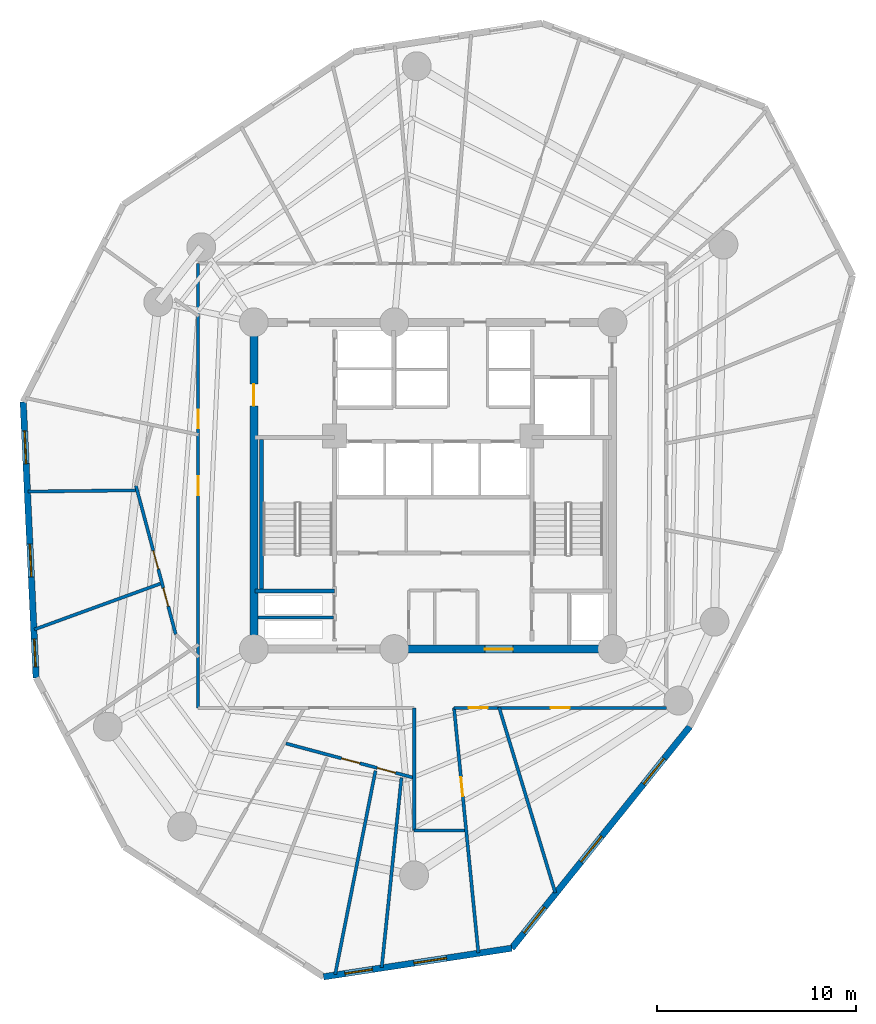
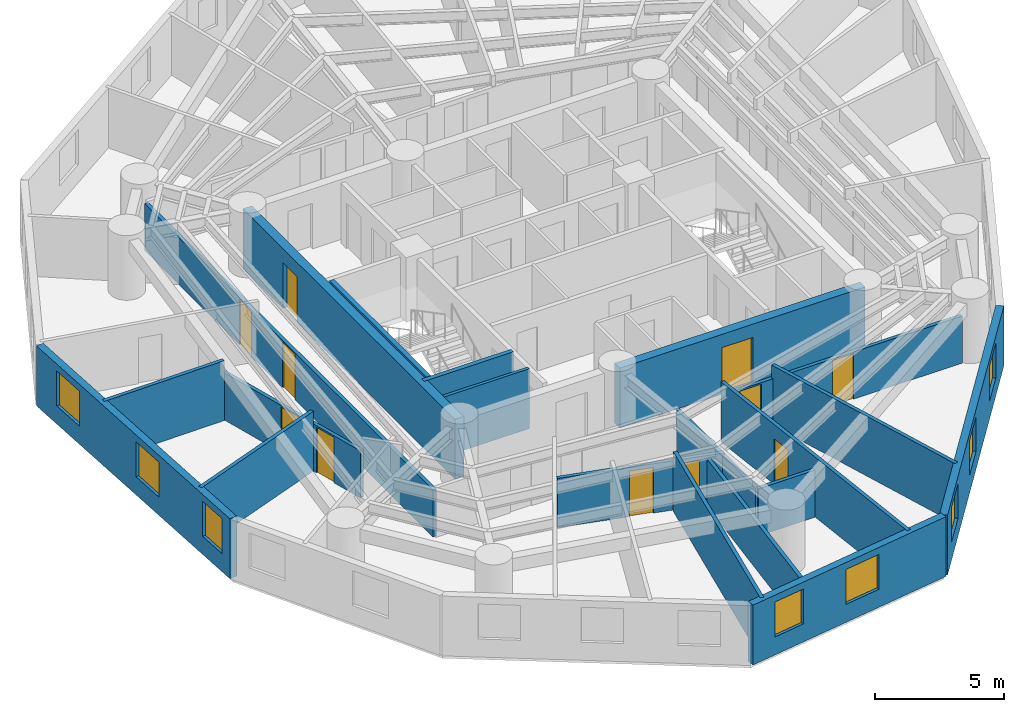
# One storey, part 3 of 8: 20 walls, 11 doors, 8 windows, 19 openings.
"""IFC4 building model written with IfcOpenShell, lengths in metres."""

from ifc_helpers import new_model, si_unit, direction, frame, frame_2d, origin, origin_with_axes, place, context, subcontext, project, spatial, rectangle, extrude, source, transform, mapped, material, layer, layer_set, type_object, element, fill, save


model = new_model("IFC4")

# Units and contexts
model_context = context("Model", 3, precision=1e-05, world=origin(), true_north=direction((0.0, 1.0)))
body_context = subcontext(model_context, "Body", "Model", "MODEL_VIEW")
ifc_project = project(units=[si_unit("LENGTHUNIT", "METRE"), si_unit("AREAUNIT", "SQUARE_METRE"), si_unit("VOLUMEUNIT", "CUBIC_METRE"), si_unit("PLANEANGLEUNIT", "RADIAN"), si_unit("MASSUNIT", "GRAM", prefix="KILO")], contexts=[model_context])

# Site, building, storey
site_placement = place(None, origin())
site = spatial("IfcSite", under=ifc_project, at=site_placement, CompositionType="ELEMENT")
building_placement = place(site_placement, origin())
building = spatial("IfcBuilding", under=site, at=building_placement, Name="Karkom Vertical University and Central Library", CompositionType="ELEMENT")
storey_placement = place(building_placement, frame((0.0, 0.0, 120.60009765625)))
storey = spatial("IfcBuildingStorey", under=building, at=storey_placement, Name="L33", CompositionType="ELEMENT", Elevation=120.60009765625)

# Wall, openings, windows
ifc_material_1 = material(Name="Brick-faced precast concrete C45/55", Category="masonry")
ifc_layer_1 = layer(ifc_material_1, 0.320068359375)
ifc_layer_set_1 = layer_set([ifc_layer_1], Name="Brick-faced precast concrete C45/55")
wall_type_1 = type_object("IfcWallType", Name="ENV-WL-BRK-320", PredefinedType="SOLIDWALL", material=ifc_layer_set_1)
wall_1_placement = place(storey_placement, frame((7.92626953125, 30.701416015625, 0.0), z_axis=(0.0, 0.0, 1.0), x_axis=(0.046823586299, -0.99890317437, 0.0)))
wall_1 = element("IfcWall", 1, at=wall_1_placement, inside=storey, type_object=wall_type_1, Name="Level 33 Brick-Faced Precast Facade Wall 02", PredefinedType="SOLIDWALL", context=body_context, shape_type="SweptSolid", body=[
    extrude(rectangle(XDim=13.85888671875, YDim=0.320068359375, at=frame_2d((6.929443359375, 0.0))), origin(), (0.0, 0.0, 1.0), 2.824951171875),
])
opening_1_placement = place(wall_1_placement, frame((1.457763671875, 0.0, 0.85009765625)))
opening_1 = element("IfcOpeningElement", 2, at=opening_1_placement, cuts=wall_1, Name="Opening WN-06", PredefinedType="OPENING", context=body_context, shape_type="SweptSolid", body=[
    extrude(rectangle(XDim=1.64990234375, YDim=1.64990234375, at=frame_2d((0.824951171875, 0.824951171875))), frame((0.0, 0.169921875, 0.0), z_axis=(0.0, -1.0, 0.0), x_axis=(1.0, 0.0, 0.0)), (0.0, 0.0, 1.0), 0.340087890625),
])
opening_2_placement = place(wall_1_placement, frame((7.138916015625, 0.0, 0.85009765625)))
opening_2 = element("IfcOpeningElement", 3, at=opening_2_placement, cuts=wall_1, Name="Opening WN-06", PredefinedType="OPENING", context=body_context, shape_type="SweptSolid", body=[
    extrude(rectangle(XDim=1.64990234375, YDim=1.64990234375, at=frame_2d((0.824951171875, 0.824951171875))), frame((0.0, 0.169921875, 0.0), z_axis=(0.0, -1.0, 0.0), x_axis=(1.0, 0.0, 0.0)), (0.0, 0.0, 1.0), 0.340087890625),
])
opening_3_placement = place(wall_1_placement, frame((11.91064453125, 0.0, 0.85009765625)))
opening_3 = element("IfcOpeningElement", 4, at=opening_3_placement, cuts=wall_1, Name="Opening WN-07", PredefinedType="OPENING", context=body_context, shape_type="SweptSolid", body=[
    extrude(rectangle(XDim=1.39990234375, YDim=1.64990234375, at=frame_2d((0.699951171875, 0.824951171875))), frame((0.0, 0.169921875, 0.0), z_axis=(0.0, -1.0, 0.0), x_axis=(1.0, 0.0, 0.0)), (0.0, 0.0, 1.0), 0.340087890625),
])
ifc_material_2 = material(Name="Aluminium thermal-break frame with solar-control IGU", Category="aluminium")
window_type_1 = type_object("IfcWindowType", Name="ENV-WIN-WN-06", PartitioningType="SINGLE_PANEL", PredefinedType="WINDOW", material=ifc_material_2)
shared_shape_1 = source(origin_with_axes(), body_context, "Body", "SweptSolid", [
    extrude(rectangle(XDim=1.64990234375, YDim=1.64990234375, at=frame_2d((0.824951171875, 0.824951171875))), frame((0.0, 0.030029296875, 0.0), z_axis=(0.0, -1.0, 0.0), x_axis=(1.0, 0.0, 0.0)), (0.0, 0.0, 1.0), 0.06005859375),
])
window_1_placement = place(opening_1_placement, origin())
window_1 = element("IfcWindow", 5, at=window_1_placement, inside=storey, type_object=window_type_1, Name="Level 33 Punched Window 2.1", OverallHeight=1.64990234375, OverallWidth=1.64990234375, PartitioningType="SINGLE_PANEL", PredefinedType="WINDOW", context=body_context, shape_type="MappedRepresentation", body=[
    mapped(shared_shape_1, transform((0.0, 0.0, 0.0), scale=1.0)),
])
fill(opening_1, window_1)
window_2_placement = place(opening_2_placement, origin())
window_2 = element("IfcWindow", 6, at=window_2_placement, inside=storey, type_object=window_type_1, Name="Level 33 Punched Window 2.2", OverallHeight=1.64990234375, OverallWidth=1.64990234375, PartitioningType="SINGLE_PANEL", PredefinedType="WINDOW", context=body_context, shape_type="MappedRepresentation", body=[
    mapped(shared_shape_1, transform((0.0, 0.0, 0.0), scale=1.0)),
])
fill(opening_2, window_2)
window_type_2 = type_object("IfcWindowType", Name="ENV-WIN-WN-07", PartitioningType="SINGLE_PANEL", PredefinedType="WINDOW", material=ifc_material_2)
shared_shape_2 = source(origin_with_axes(), body_context, "Body", "SweptSolid", [
    extrude(rectangle(XDim=1.39990234375, YDim=1.64990234375, at=frame_2d((0.699951171875, 0.824951171875))), frame((0.0, 0.030029296875, 0.0), z_axis=(0.0, -1.0, 0.0), x_axis=(1.0, 0.0, 0.0)), (0.0, 0.0, 1.0), 0.06005859375),
])
window_3_placement = place(opening_3_placement, origin())
window_3 = element("IfcWindow", 7, at=window_3_placement, inside=storey, type_object=window_type_2, Name="Level 33 Punched Window 2.3", OverallHeight=1.64990234375, OverallWidth=1.39990234375, PartitioningType="SINGLE_PANEL", PredefinedType="WINDOW", context=body_context, shape_type="MappedRepresentation", body=[
    mapped(shared_shape_2, transform((0.0, 0.0, 0.0), scale=1.0)),
])
fill(opening_3, window_3)

wall_2_placement = place(storey_placement, frame((22.998046875, 1.85009765625, 0.0), z_axis=(0.0, 0.0, 1.0), x_axis=(0.988605038092, 0.150532649811, 0.0)))
wall_2 = element("IfcWall", 8, at=wall_2_placement, inside=storey, type_object=wall_type_1, Name="Level 33 Brick-Faced Precast Facade Wall 05", PredefinedType="SOLIDWALL", context=body_context, shape_type="SweptSolid", body=[
    extrude(rectangle(XDim=9.555908203125, YDim=0.320068359375, at=frame_2d((4.77783203125, 0.0))), origin(), (0.0, 0.0, 1.0), 2.824951171875),
])
opening_4_placement = place(wall_2_placement, frame((1.087890625, 0.0, 0.85009765625)))
opening_4 = element("IfcOpeningElement", 9, at=opening_4_placement, cuts=wall_2, Name="Opening WN-07", PredefinedType="OPENING", context=body_context, shape_type="SweptSolid", body=[
    extrude(rectangle(XDim=1.39990234375, YDim=1.64990234375, at=frame_2d((0.699951171875, 0.824951171875))), frame((0.0, 0.169921875, 0.0), z_axis=(0.0, -1.0, 0.0), x_axis=(1.0, 0.0, 0.0)), (0.0, 0.0, 1.0), 0.340087890625),
])
opening_5_placement = place(wall_2_placement, frame((4.592529296875, 0.0, 0.85009765625)))
opening_5 = element("IfcOpeningElement", 10, at=opening_5_placement, cuts=wall_2, Name="Opening WN-06", PredefinedType="OPENING", context=body_context, shape_type="SweptSolid", body=[
    extrude(rectangle(XDim=1.64990234375, YDim=1.64990234375, at=frame_2d((0.824951171875, 0.824951171875))), frame((0.0, 0.169921875, 0.0), z_axis=(0.0, -1.0, 0.0), x_axis=(1.0, 0.0, 0.0)), (0.0, 0.0, 1.0), 0.340087890625),
])
window_4_placement = place(opening_5_placement, origin())
window_4 = element("IfcWindow", 11, at=window_4_placement, inside=storey, type_object=window_type_1, Name="Level 33 Punched Window 5.2", OverallHeight=1.64990234375, OverallWidth=1.64990234375, PartitioningType="SINGLE_PANEL", PredefinedType="WINDOW", context=body_context, shape_type="MappedRepresentation", body=[
    mapped(shared_shape_1, transform((0.0, 0.0, 0.0), scale=1.0)),
])
fill(opening_5, window_4)
window_5_placement = place(opening_4_placement, origin())
window_5 = element("IfcWindow", 12, at=window_5_placement, inside=storey, type_object=window_type_2, Name="Level 33 Punched Window 5.1", OverallHeight=1.64990234375, OverallWidth=1.39990234375, PartitioningType="SINGLE_PANEL", PredefinedType="WINDOW", context=body_context, shape_type="MappedRepresentation", body=[
    mapped(shared_shape_2, transform((0.0, 0.0, 0.0), scale=1.0)),
])
fill(opening_4, window_5)

wall_3_placement = place(storey_placement, frame((32.445068359375, 3.28857421875, 0.0), z_axis=(0.0, 0.0, 1.0), x_axis=(0.626375512093, 0.779521467216, 0.0)))
wall_3 = element("IfcWall", 13, at=wall_3_placement, inside=storey, type_object=wall_type_1, Name="Level 33 Brick-Faced Precast Facade Wall 06", PredefinedType="SOLIDWALL", context=body_context, shape_type="SweptSolid", body=[
    extrude(rectangle(XDim=14.267822265625, YDim=0.320068359375, at=frame_2d((7.1337890625, 0.0))), origin(), (0.0, 0.0, 1.0), 2.824951171875),
])
opening_6_placement = place(wall_3_placement, frame((0.982666015625, 0.0, 0.85009765625)))
opening_6 = element("IfcOpeningElement", 14, at=opening_6_placement, cuts=wall_3, Name="Opening WN-06", PredefinedType="OPENING", context=body_context, shape_type="SweptSolid", body=[
    extrude(rectangle(XDim=1.64990234375, YDim=1.64990234375, at=frame_2d((0.824951171875, 0.824951171875))), frame((0.0, 0.169921875, 0.0), z_axis=(0.0, -1.0, 0.0), x_axis=(1.0, 0.0, 0.0)), (0.0, 0.0, 1.0), 0.340087890625),
])
opening_7_placement = place(wall_3_placement, frame((5.553466796875, 0.0, 0.85009765625)))
opening_7 = element("IfcOpeningElement", 15, at=opening_7_placement, cuts=wall_3, Name="Opening WN-06", PredefinedType="OPENING", context=body_context, shape_type="SweptSolid", body=[
    extrude(rectangle(XDim=1.64990234375, YDim=1.64990234375, at=frame_2d((0.824951171875, 0.824951171875))), frame((0.0, 0.169921875, 0.0), z_axis=(0.0, -1.0, 0.0), x_axis=(1.0, 0.0, 0.0)), (0.0, 0.0, 1.0), 0.340087890625),
])
opening_8_placement = place(wall_3_placement, frame((10.559814453125, 0.0, 0.85009765625)))
opening_8 = element("IfcOpeningElement", 16, at=opening_8_placement, cuts=wall_3, Name="Opening WN-06", PredefinedType="OPENING", context=body_context, shape_type="SweptSolid", body=[
    extrude(rectangle(XDim=1.64990234375, YDim=1.64990234375, at=frame_2d((0.824951171875, 0.824951171875))), frame((0.0, 0.169921875, 0.0), z_axis=(0.0, -1.0, 0.0), x_axis=(1.0, 0.0, 0.0)), (0.0, 0.0, 1.0), 0.340087890625),
])
window_6_placement = place(opening_6_placement, origin())
window_6 = element("IfcWindow", 17, at=window_6_placement, inside=storey, type_object=window_type_1, Name="Level 33 Punched Window 6.1", OverallHeight=1.64990234375, OverallWidth=1.64990234375, PartitioningType="SINGLE_PANEL", PredefinedType="WINDOW", context=body_context, shape_type="MappedRepresentation", body=[
    mapped(shared_shape_1, transform((0.0, 0.0, 0.0), scale=1.0)),
])
fill(opening_6, window_6)
window_7_placement = place(opening_7_placement, origin())
window_7 = element("IfcWindow", 18, at=window_7_placement, inside=storey, type_object=window_type_1, Name="Level 33 Punched Window 6.2", OverallHeight=1.64990234375, OverallWidth=1.64990234375, PartitioningType="SINGLE_PANEL", PredefinedType="WINDOW", context=body_context, shape_type="MappedRepresentation", body=[
    mapped(shared_shape_1, transform((0.0, 0.0, 0.0), scale=1.0)),
])
fill(opening_7, window_7)
window_8_placement = place(opening_8_placement, origin())
window_8 = element("IfcWindow", 19, at=window_8_placement, inside=storey, type_object=window_type_1, Name="Level 33 Punched Window 6.3", OverallHeight=1.64990234375, OverallWidth=1.64990234375, PartitioningType="SINGLE_PANEL", PredefinedType="WINDOW", context=body_context, shape_type="MappedRepresentation", body=[
    mapped(shared_shape_1, transform((0.0, 0.0, 0.0), scale=1.0)),
])
fill(opening_8, window_8)

# Wall, openings, doors
ifc_material_3 = material(Name="Insulated metal-stud drywall 160mm", Category="gypsum")
ifc_layer_2 = layer(ifc_material_3, 0.159912109375)
ifc_layer_set_2 = layer_set([ifc_layer_2], Name="Insulated metal-stud drywall 160mm")
wall_type_2 = type_object("IfcWallType", Name="INT-WL-COR-160", PredefinedType="PARTITIONING", material=ifc_layer_set_2)
wall_4_placement = place(storey_placement, frame((16.699951171875, 15.35009765625, 0.0), z_axis=(0.0, 0.0, 1.0), x_axis=(0.0, 1.0, 0.0)))
wall_4 = element("IfcWall", 20, at=wall_4_placement, inside=storey, type_object=wall_type_2, Name="Level 33 Interior Partition Wall L33-CORW-CW-002", PredefinedType="PARTITIONING", context=body_context, shape_type="SweptSolid", body=[
    extrude(rectangle(XDim=22.2998046875, YDim=0.159912109375, at=frame_2d((11.14990234375, 0.0))), origin(), (0.0, 0.0, 1.0), 2.224853515625),
])
opening_9_placement = place(wall_4_placement, frame((10.675048828125, 0.0, 0.0)))
opening_9 = element("IfcOpeningElement", 21, at=opening_9_placement, cuts=wall_4, Name="Opening D-RM1", PredefinedType="OPENING", context=body_context, shape_type="SweptSolid", body=[
    extrude(rectangle(XDim=0.949951171875, YDim=2.14990234375, at=frame_2d((0.47509765625, 1.074951171875))), frame((0.0, 0.08984375, 0.0), z_axis=(0.0, -1.0, 0.0), x_axis=(1.0, 0.0, 0.0)), (0.0, 0.0, 1.0), 0.179931640625),
])
opening_10_placement = place(wall_4_placement, frame((14.02001953125, 0.0, 0.0)))
opening_10 = element("IfcOpeningElement", 22, at=opening_10_placement, cuts=wall_4, Name="Opening D-RM1", PredefinedType="OPENING", context=body_context, shape_type="SweptSolid", body=[
    extrude(rectangle(XDim=0.949951171875, YDim=2.14990234375, at=frame_2d((0.47509765625, 1.074951171875))), frame((0.0, 0.08984375, 0.0), z_axis=(0.0, -1.0, 0.0), x_axis=(1.0, 0.0, 0.0)), (0.0, 0.0, 1.0), 0.179931640625),
])
ifc_material_4 = material(Name="Solid-core oak veneer door", Category="wood")
door_type_1 = type_object("IfcDoorType", Name="INT-DR-RM1", OperationType="NOTDEFINED", PredefinedType="DOOR", material=ifc_material_4)
shared_shape_3 = source(origin_with_axes(), body_context, "Body", "SweptSolid", [
    extrude(rectangle(XDim=0.949951171875, YDim=2.14990234375, at=frame_2d((0.47509765625, 1.074951171875))), frame((0.0, 0.02490234375, 0.0), z_axis=(0.0, -1.0, 0.0), x_axis=(1.0, 0.0, 0.0)), (0.0, 0.0, 1.0), 0.050048828125),
])
door_1_placement = place(opening_9_placement, origin())
door_1 = element("IfcDoor", 23, at=door_1_placement, inside=storey, type_object=door_type_1, Name="Level 33 Room Entry Door 000", OperationType="SINGLE_SWING_LEFT", OverallHeight=2.14990234375, OverallWidth=0.949951171875, PredefinedType="DOOR", context=body_context, shape_type="MappedRepresentation", body=[
    mapped(shared_shape_3, transform((0.0, 0.0, 0.0), scale=1.0)),
])
fill(opening_9, door_1)
door_2_placement = place(opening_10_placement, origin())
door_2 = element("IfcDoor", 24, at=door_2_placement, inside=storey, type_object=door_type_1, Name="Level 33 Room Entry Door 250", OperationType="SINGLE_SWING_LEFT", OverallHeight=2.14990234375, OverallWidth=0.949951171875, PredefinedType="DOOR", context=body_context, shape_type="MappedRepresentation", body=[
    mapped(shared_shape_3, transform((0.0, 0.0, 0.0), scale=1.0)),
])
fill(opening_10, door_2)

# Wall, opening, door
wall_5_placement = place(storey_placement, frame((29.547119140625, 15.35888671875, 0.0), z_axis=(0.0, 0.0, 1.0), x_axis=(0.098895512209, -0.995097823164, 0.0)))
wall_5 = element("IfcWall", 25, at=wall_5_placement, inside=storey, type_object=wall_type_2, Name="Level 33 Interior Partition Wall L33-PW-016", PredefinedType="PARTITIONING", context=body_context, shape_type="SweptSolid", body=[
    extrude(rectangle(XDim=12.360595703125, YDim=0.159912109375, at=frame_2d((6.18017578125, 0.0))), origin(), (0.0, 0.0, 1.0), 2.824951171875),
])
opening_11_placement = place(wall_5_placement, frame((3.511962890625, 0.0, 0.0)))
opening_11 = element("IfcOpeningElement", 26, at=opening_11_placement, cuts=wall_5, Name="Opening D-RM1", PredefinedType="OPENING", context=body_context, shape_type="SweptSolid", body=[
    extrude(rectangle(XDim=0.949951171875, YDim=2.14990234375, at=frame_2d((0.47509765625, 1.074951171875))), frame((0.0, 0.08984375, 0.0), z_axis=(0.0, -1.0, 0.0), x_axis=(1.0, 0.0, 0.0)), (0.0, 0.0, 1.0), 0.179931640625),
])
door_3_placement = place(opening_11_placement, origin())
door_3 = element("IfcDoor", 27, at=door_3_placement, inside=storey, type_object=door_type_1, Name="Level 33 Room Entry Door 080", OperationType="SINGLE_SWING_RIGHT", OverallHeight=2.14990234375, OverallWidth=0.949951171875, PredefinedType="DOOR", context=body_context, shape_type="MappedRepresentation", body=[
    mapped(shared_shape_3, transform((0.0, 0.0, 0.0), scale=1.0)),
])
fill(opening_11, door_3)

# Wall, openings, doors
wall_6_placement = place(storey_placement, frame((40.199951171875, 15.35009765625, 0.0), z_axis=(0.0, 0.0, 1.0), x_axis=(-1.0, 0.0, 0.0)))
wall_6 = element("IfcWall", 28, at=wall_6_placement, inside=storey, type_object=wall_type_2, Name="Level 33 Interior Partition Wall L33-CORW-CW-005", PredefinedType="PARTITIONING", context=body_context, shape_type="SweptSolid", body=[
    extrude(rectangle(XDim=10.64990234375, YDim=0.159912109375, at=frame_2d((5.324951171875, 0.0))), origin(), (0.0, 0.0, 1.0), 2.224853515625),
])
opening_12_placement = place(wall_6_placement, frame((8.966064453125, 0.0, 0.0)))
opening_12 = element("IfcOpeningElement", 29, at=opening_12_placement, cuts=wall_6, Name="Opening D-RM1", PredefinedType="OPENING", context=body_context, shape_type="SweptSolid", body=[
    extrude(rectangle(XDim=0.949951171875, YDim=2.14990234375, at=frame_2d((0.47509765625, 1.074951171875))), frame((0.0, 0.08984375, 0.0), z_axis=(0.0, -1.0, 0.0), x_axis=(1.0, 0.0, 0.0)), (0.0, 0.0, 1.0), 0.179931640625),
])
opening_13_placement = place(wall_6_placement, frame((4.85009765625, 0.0, 0.0)))
opening_13 = element("IfcOpeningElement", 30, at=opening_13_placement, cuts=wall_6, Name="Opening D-RM1", PredefinedType="OPENING", context=body_context, shape_type="SweptSolid", body=[
    extrude(rectangle(XDim=0.949951171875, YDim=2.14990234375, at=frame_2d((0.47509765625, 1.074951171875))), frame((0.0, 0.08984375, 0.0), z_axis=(0.0, -1.0, 0.0), x_axis=(1.0, 0.0, 0.0)), (0.0, 0.0, 1.0), 0.179931640625),
])
door_4_placement = place(opening_12_placement, origin())
door_4 = element("IfcDoor", 31, at=door_4_placement, inside=storey, type_object=door_type_1, Name="Level 33 Room Entry Door 090", OperationType="SINGLE_SWING_LEFT", OverallHeight=2.14990234375, OverallWidth=0.949951171875, PredefinedType="DOOR", context=body_context, shape_type="MappedRepresentation", body=[
    mapped(shared_shape_3, transform((0.0, 0.0, 0.0), scale=1.0)),
])
fill(opening_12, door_4)
door_5_placement = place(opening_13_placement, origin())
door_5 = element("IfcDoor", 32, at=door_5_placement, inside=storey, type_object=door_type_1, Name="Level 33 Room Entry Door 100", OperationType="SINGLE_SWING_RIGHT", OverallHeight=2.14990234375, OverallWidth=0.949951171875, PredefinedType="DOOR", context=body_context, shape_type="MappedRepresentation", body=[
    mapped(shared_shape_3, transform((0.0, 0.0, 0.0), scale=1.0)),
])
fill(opening_13, door_5)

# Walls
wall_7_placement = place(storey_placement, frame((25.6064453125, 12.192626953125, 0.0), z_axis=(0.0, 0.0, 1.0), x_axis=(-0.194205831311, -0.980960802012, 0.0)))
element("IfcWall", 33, at=wall_7_placement, inside=storey, type_object=wall_type_2, Name="Level 33 Interior Partition Wall L33-PW-014", PredefinedType="PARTITIONING", context=body_context, shape_type="SweptSolid", body=[
    extrude(rectangle(XDim=10.4228515625, YDim=0.159912109375, at=frame_2d((5.21142578125, 0.0))), origin(), (0.0, 0.0, 1.0), 2.824951171875),
])
wall_8_placement = place(storey_placement, frame((31.80859375, 15.378662109375, 0.0), z_axis=(0.0, 0.0, 1.0), x_axis=(0.290116034839, -0.956991476623, 0.0)))
element("IfcWall", 34, at=wall_8_placement, inside=storey, type_object=wall_type_2, Name="Level 33 Interior Partition Wall L33-PW-017", PredefinedType="PARTITIONING", context=body_context, shape_type="SweptSolid", body=[
    extrude(rectangle(XDim=9.729736328125, YDim=0.159912109375, at=frame_2d((4.86474609375, 0.0))), origin(), (0.0, 0.0, 1.0), 2.824951171875),
])
wall_9_placement = place(storey_placement, frame((26.911865234375, 11.8427734375, 0.0), z_axis=(0.0, 0.0, 1.0), x_axis=(-0.103654444974, -0.994613370128, 0.0)))
element("IfcWall", 35, at=wall_9_placement, inside=storey, type_object=wall_type_2, Name="Level 33 Interior Partition Wall L33-PW-015", PredefinedType="PARTITIONING", context=body_context, shape_type="SweptSolid", body=[
    extrude(rectangle(XDim=9.572021484375, YDim=0.159912109375, at=frame_2d((4.7861328125, 0.0))), origin(), (0.0, 0.0, 1.0), 2.224853515625),
])

# Wall, openings, doors
wall_10_placement = place(storey_placement, frame((15.581298828125, 19.04150390625, 0.0), z_axis=(0.0, 0.0, 1.0), x_axis=(-0.258823534126, 0.965924623448, 0.0)))
wall_10 = element("IfcWall", 36, at=wall_10_placement, inside=storey, type_object=wall_type_2, Name="Level 33 Interior Partition Wall L33-PW-001", PredefinedType="PARTITIONING", context=body_context, shape_type="SweptSolid", body=[
    extrude(rectangle(XDim=7.7216796875, YDim=0.159912109375, at=frame_2d((3.86083984375, 0.0))), origin(), (0.0, 0.0, 1.0), 2.224853515625),
])
opening_14_placement = place(wall_10_placement, frame((3.3857421875, 0.0, 0.0)))
opening_14 = element("IfcOpeningElement", 37, at=opening_14_placement, cuts=wall_10, Name="Opening FD-RM2", PredefinedType="OPENING", context=body_context, shape_type="SweptSolid", body=[
    extrude(rectangle(XDim=0.9599609375, YDim=2.14990234375, at=frame_2d((0.47998046875, 1.074951171875))), frame((0.0, 0.08984375, 0.0), z_axis=(0.0, -1.0, 0.0), x_axis=(1.0, 0.0, 0.0)), (0.0, 0.0, 1.0), 0.179931640625),
])
opening_15_placement = place(wall_10_placement, frame((1.455322265625, 0.0, 0.0)))
opening_15 = element("IfcOpeningElement", 38, at=opening_15_placement, cuts=wall_10, Name="Opening D-RM1", PredefinedType="OPENING", context=body_context, shape_type="SweptSolid", body=[
    extrude(rectangle(XDim=0.949951171875, YDim=2.14990234375, at=frame_2d((0.47509765625, 1.074951171875))), frame((0.0, 0.08984375, 0.0), z_axis=(0.0, -1.0, 0.0), x_axis=(1.0, 0.0, 0.0)), (0.0, 0.0, 1.0), 0.179931640625),
])
ifc_material_5 = material(Name="Fire-rated oak veneer door", Category="wood")
door_type_2 = type_object("IfcDoorType", Name="INT-DR-FRM2", OperationType="NOTDEFINED", PredefinedType="DOOR", material=ifc_material_5)
shared_shape_4 = source(origin_with_axes(), body_context, "Body", "SweptSolid", [
    extrude(rectangle(XDim=0.9599609375, YDim=2.14990234375, at=frame_2d((0.47998046875, 1.074951171875))), frame((0.0, 0.02490234375, 0.0), z_axis=(0.0, -1.0, 0.0), x_axis=(1.0, 0.0, 0.0)), (0.0, 0.0, 1.0), 0.050048828125),
])
door_6_placement = place(opening_14_placement, origin())
door_6 = element("IfcDoor", 39, at=door_6_placement, inside=storey, type_object=door_type_2, Name="Level 33 Room Entry Door 010", OperationType="SINGLE_SWING_RIGHT", OverallHeight=2.14990234375, OverallWidth=0.9599609375, PredefinedType="DOOR", context=body_context, shape_type="MappedRepresentation", body=[
    mapped(shared_shape_4, transform((0.0, 0.0, 0.0), scale=1.0)),
])
fill(opening_14, door_6)
door_7_placement = place(opening_15_placement, origin())
door_7 = element("IfcDoor", 40, at=door_7_placement, inside=storey, type_object=door_type_1, Name="Level 33 Room Entry Door 020", OperationType="SINGLE_SWING_LEFT", OverallHeight=2.14990234375, OverallWidth=0.949951171875, PredefinedType="DOOR", context=body_context, shape_type="MappedRepresentation", body=[
    mapped(shared_shape_3, transform((0.0, 0.0, 0.0), scale=1.0)),
])
fill(opening_15, door_7)

wall_11_placement = place(storey_placement, frame((27.5791015625, 11.82958984375, 0.0), z_axis=(0.0, 0.0, 1.0), x_axis=(-0.965927858542, 0.258811460511, 0.0)))
wall_11 = element("IfcWall", 41, at=wall_11_placement, inside=storey, type_object=wall_type_2, Name="Level 33 Interior Partition Wall L33-PW-012", PredefinedType="PARTITIONING", context=body_context, shape_type="SweptSolid", body=[
    extrude(rectangle(XDim=6.69189453125, YDim=0.159912109375, at=frame_2d((3.345947265625, 0.0))), origin(), (0.0, 0.0, 1.0), 2.324951171875),
])
opening_16_placement = place(wall_11_placement, frame((2.853759765625, 0.0, 0.0)))
opening_16 = element("IfcOpeningElement", 42, at=opening_16_placement, cuts=wall_11, Name="Opening D-RM1", PredefinedType="OPENING", context=body_context, shape_type="SweptSolid", body=[
    extrude(rectangle(XDim=0.949951171875, YDim=2.14990234375, at=frame_2d((0.47509765625, 1.074951171875))), frame((0.0, 0.08984375, 0.0), z_axis=(0.0, -1.0, 0.0), x_axis=(1.0, 0.0, 0.0)), (0.0, 0.0, 1.0), 0.179931640625),
])
opening_17_placement = place(wall_11_placement, frame((0.99951171875, 0.0, 0.0)))
opening_17 = element("IfcOpeningElement", 43, at=opening_17_placement, cuts=wall_11, Name="Opening D-RM1", PredefinedType="OPENING", context=body_context, shape_type="SweptSolid", body=[
    extrude(rectangle(XDim=0.949951171875, YDim=2.14990234375, at=frame_2d((0.47509765625, 1.074951171875))), frame((0.0, 0.08984375, 0.0), z_axis=(0.0, -1.0, 0.0), x_axis=(1.0, 0.0, 0.0)), (0.0, 0.0, 1.0), 0.179931640625),
])
door_8_placement = place(opening_16_placement, origin())
door_8 = element("IfcDoor", 44, at=door_8_placement, inside=storey, type_object=door_type_1, Name="Level 33 Room Entry Door 060", OperationType="SINGLE_SWING_LEFT", OverallHeight=2.14990234375, OverallWidth=0.949951171875, PredefinedType="DOOR", context=body_context, shape_type="MappedRepresentation", body=[
    mapped(shared_shape_3, transform((0.0, 0.0, 0.0), scale=1.0)),
])
fill(opening_16, door_8)
door_9_placement = place(opening_17_placement, origin())
door_9 = element("IfcDoor", 45, at=door_9_placement, inside=storey, type_object=door_type_1, Name="Level 33 Room Entry Door 070", OperationType="SINGLE_SWING_RIGHT", OverallHeight=2.14990234375, OverallWidth=0.949951171875, PredefinedType="DOOR", context=body_context, shape_type="MappedRepresentation", body=[
    mapped(shared_shape_3, transform((0.0, 0.0, 0.0), scale=1.0)),
])
fill(opening_17, door_9)

# Walls
wall_12_placement = place(storey_placement, frame((14.810302734375, 21.582763671875, 0.0), z_axis=(0.0, 0.0, 1.0), x_axis=(-0.939714983288, -0.341958696607, 0.0)))
element("IfcWall", 46, at=wall_12_placement, inside=storey, type_object=wall_type_2, Name="Level 33 Interior Partition Wall L33-PW-005", PredefinedType="PARTITIONING", context=body_context, shape_type="SweptSolid", body=[
    extrude(rectangle(XDim=6.726806640625, YDim=0.159912109375, at=frame_2d((3.36328125, 0.0))), origin(), (0.0, 0.0, 1.0), 2.824951171875),
])
wall_13_placement = place(storey_placement, frame((27.550048828125, 9.199951171875, 0.0), z_axis=(0.0, 0.0, 1.0), x_axis=(0.0, 1.0, 0.0)))
element("IfcWall", 47, at=wall_13_placement, inside=storey, type_object=wall_type_2, Name="Level 33 Interior Partition Wall L33-CORW-CW-008", PredefinedType="PARTITIONING", context=body_context, shape_type="SweptSolid", body=[
    extrude(rectangle(XDim=6.150146484375, YDim=0.159912109375, at=frame_2d((3.0751953125, 0.0))), origin(), (0.0, 0.0, 1.0), 2.224853515625),
])
wall_14_placement = place(storey_placement, frame((8.162109375, 26.20361328125, 0.0), z_axis=(0.0, 0.0, 1.0), x_axis=(0.999932879141, 0.01158607844, 0.0)))
element("IfcWall", 48, at=wall_14_placement, inside=storey, type_object=wall_type_2, Name="Level 33 Interior Partition Wall L33-PW-006", PredefinedType="PARTITIONING", context=body_context, shape_type="SweptSolid", body=[
    extrude(rectangle(XDim=5.394287109375, YDim=0.159912109375, at=frame_2d((2.697265625, 0.0))), origin(), (0.0, 0.0, 1.0), 2.824951171875),
])
wall_15_placement = place(storey_placement, frame((30.07177734375, 9.199951171875, 0.0), z_axis=(0.0, 0.0, 1.0), x_axis=(-1.0, 0.0, 0.0)))
element("IfcWall", 49, at=wall_15_placement, inside=storey, type_object=wall_type_2, Name="Level 33 Interior Partition Wall L33-CORW-CW-007", PredefinedType="PARTITIONING", context=body_context, shape_type="SweptSolid", body=[
    extrude(rectangle(XDim=2.521728515625, YDim=0.159912109375, at=frame_2d((1.2607421875, 0.0))), origin(), (0.0, 0.0, 1.0), 2.224853515625),
])
ifc_material_6 = material(Name="Metal-stud gypsum partition 140mm", Category="gypsum")
ifc_layer_3 = layer(ifc_material_6, 0.139892578125)
ifc_layer_set_3 = layer_set([ifc_layer_3], Name="Metal-stud gypsum partition 140mm")
wall_type_3 = type_object("IfcWallType", Name="INT-WL-SUB-140H", PredefinedType="PARTITIONING", material=ifc_layer_set_3)
wall_16_placement = place(storey_placement, frame((19.70703125, 19.889892578125, 0.0), z_axis=(0.0, 0.0, 1.0), x_axis=(1.0, 0.0, 0.0)))
element("IfcWall", 50, at=wall_16_placement, inside=storey, type_object=wall_type_3, Name="Level 33 Interior Partition Wall L33-CW-RIS-W", PredefinedType="PARTITIONING", context=body_context, shape_type="SweptSolid", body=[
    extrude(rectangle(XDim=3.789794921875, YDim=0.139892578125, at=frame_2d((1.89501953125, 0.0))), origin(), (0.0, 0.0, 1.0), 2.824951171875),
])

# Wall, opening, door
ifc_material_7 = material(Name="Concrete C50/60", Category="concrete")
ifc_layer_4 = layer(ifc_material_7, 0.39990234375)
ifc_layer_set_4 = layer_set([ifc_layer_4], Name="Concrete C50/60")
wall_type_4 = type_object("IfcWallType", Name="STR-WL-CW-400", PredefinedType="SHEAR", material=ifc_layer_set_4)
wall_17_placement = place(storey_placement, frame((26.550048828125, 18.300048828125, 0.0), z_axis=(0.0, 0.0, 1.0), x_axis=(1.0, 0.0, 0.0)))
wall_17 = element("IfcWall", 51, at=wall_17_placement, inside=storey, type_object=wall_type_4, Name="Level 33 Central Core Shear Wall SW2", PredefinedType="SHEAR", context=body_context, shape_type="SweptSolid", body=[
    extrude(rectangle(XDim=10.949951171875, YDim=0.39990234375, at=frame_2d((5.47509765625, 0.0))), origin(), (0.0, 0.0, 1.0), 2.824951171875),
])
opening_18_placement = place(wall_17_placement, frame((4.550048828125, 0.0, 0.0)))
opening_18 = element("IfcOpeningElement", 52, at=opening_18_placement, cuts=wall_17, Name="Opening FD-CLB", PredefinedType="OPENING", context=body_context, shape_type="SweptSolid", body=[
    extrude(rectangle(XDim=1.39990234375, YDim=2.199951171875, at=frame_2d((0.699951171875, 1.10009765625))), frame((0.0, 0.2099609375, 0.0), z_axis=(0.0, -1.0, 0.0), x_axis=(1.0, 0.0, 0.0)), (0.0, 0.0, 1.0), 0.419921875),
])
ifc_material_8 = material(Name="Painted steel fire door", Category="steel")
door_type_3 = type_object("IfcDoorType", Name="INT-DR-CLB", OperationType="DOUBLE_DOOR_SINGLE_SWING", PredefinedType="DOOR", material=ifc_material_8)
shared_shape_5 = source(origin_with_axes(), body_context, "Body", "SweptSolid", [
    extrude(rectangle(XDim=1.39990234375, YDim=2.199951171875, at=frame_2d((0.699951171875, 1.10009765625))), frame((0.0, 0.02490234375, 0.0), z_axis=(0.0, -1.0, 0.0), x_axis=(1.0, 0.0, 0.0)), (0.0, 0.0, 1.0), 0.050048828125),
])
door_10_placement = place(opening_18_placement, origin())
door_10 = element("IfcDoor", 53, at=door_10_placement, inside=storey, type_object=door_type_3, Name="Level 33 South Core Lobby East Exit Door", OperationType="DOUBLE_DOOR_SINGLE_SWING", OverallHeight=2.199951171875, OverallWidth=1.39990234375, PredefinedType="DOOR", context=body_context, shape_type="MappedRepresentation", body=[
    mapped(shared_shape_5, transform((0.0, 0.0, 0.0), scale=1.0)),
])
fill(opening_18, door_10)

wall_18_placement = place(storey_placement, frame((19.5, 34.699951171875, 0.0), z_axis=(0.0, 0.0, 1.0), x_axis=(0.0, -1.0, 0.0)))
wall_18 = element("IfcWall", 54, at=wall_18_placement, inside=storey, type_object=wall_type_4, Name="Level 33 Central Core Shear Wall WW", PredefinedType="SHEAR", context=body_context, shape_type="SweptSolid", body=[
    extrude(rectangle(XDim=16.39990234375, YDim=0.39990234375, at=frame_2d((8.199951171875, 0.0))), origin(), (0.0, 0.0, 1.0), 2.824951171875),
])
opening_19_placement = place(wall_18_placement, frame((3.10009765625, 0.0, 0.0)))
opening_19 = element("IfcOpeningElement", 55, at=opening_19_placement, cuts=wall_18, Name="Opening FD-FFL", PredefinedType="OPENING", context=body_context, shape_type="SweptSolid", body=[
    extrude(rectangle(XDim=1.10009765625, YDim=2.14990234375, at=frame_2d((0.550048828125, 1.074951171875))), frame((0.0, 0.2099609375, 0.0), z_axis=(0.0, -1.0, 0.0), x_axis=(1.0, 0.0, 0.0)), (0.0, 0.0, 1.0), 0.419921875),
])
ifc_material_9 = material(Name="Painted steel smoke-seal fire door", Category="steel")
door_type_4 = type_object("IfcDoorType", Name="INT-DR-FFL", OperationType="NOTDEFINED", PredefinedType="DOOR", material=ifc_material_9)
shared_shape_6 = source(origin_with_axes(), body_context, "Body", "SweptSolid", [
    extrude(rectangle(XDim=1.10009765625, YDim=2.14990234375, at=frame_2d((0.550048828125, 1.074951171875))), frame((0.0, 0.02490234375, 0.0), z_axis=(0.0, -1.0, 0.0), x_axis=(1.0, 0.0, 0.0)), (0.0, 0.0, 1.0), 0.050048828125),
])
door_11_placement = place(opening_19_placement, origin())
door_11 = element("IfcDoor", 56, at=door_11_placement, inside=storey, type_object=door_type_4, Name="Level 33 West Corridor Firefighting Lobby Door", OperationType="SINGLE_SWING_RIGHT", OverallHeight=2.14990234375, OverallWidth=1.10009765625, PredefinedType="DOOR", context=body_context, shape_type="MappedRepresentation", body=[
    mapped(shared_shape_6, transform((0.0, 0.0, 0.0), scale=1.0)),
])
fill(opening_19, door_11)

# Walls
ifc_material_10 = material(Name="Concrete C45/55", Category="concrete")
ifc_layer_5 = layer(ifc_material_10, 0.199951171875)
ifc_layer_set_5 = layer_set([ifc_layer_5], Name="Concrete C45/55")
wall_type_5 = type_object("IfcWallType", Name="STR-WL-ST-200", PredefinedType="SHEAR", material=ifc_layer_set_5)
wall_19_placement = place(storey_placement, frame((19.875, 21.320068359375, 0.0), z_axis=(0.0, 0.0, 1.0), x_axis=(0.0, 1.0, 0.0)))
element("IfcWall", 57, at=wall_19_placement, inside=storey, type_object=wall_type_5, Name="Level 33 Core Shaft Wall L33-CW-ST1-W", PredefinedType="SHEAR", context=body_context, shape_type="SweptSolid", body=[
    extrude(rectangle(XDim=7.5, YDim=0.199951171875, at=frame_2d((3.75, 0.0))), origin(), (0.0, 0.0, 1.0), 2.824951171875),
])
wall_20_placement = place(storey_placement, frame((19.550048828125, 21.215087890625, 0.0), z_axis=(0.0, 0.0, 1.0), x_axis=(1.0, 0.0, 0.0)))
element("IfcWall", 58, at=wall_20_placement, inside=storey, type_object=wall_type_5, Name="Level 33 Core Shaft Wall L33-CW-ST1-S", PredefinedType="SHEAR", context=body_context, shape_type="SweptSolid", body=[
    extrude(rectangle(XDim=3.994873046875, YDim=0.199951171875, at=frame_2d((1.99755859375, 0.0))), origin(), (0.0, 0.0, 1.0), 2.824951171875),
])

save(model, "model.ifc")
